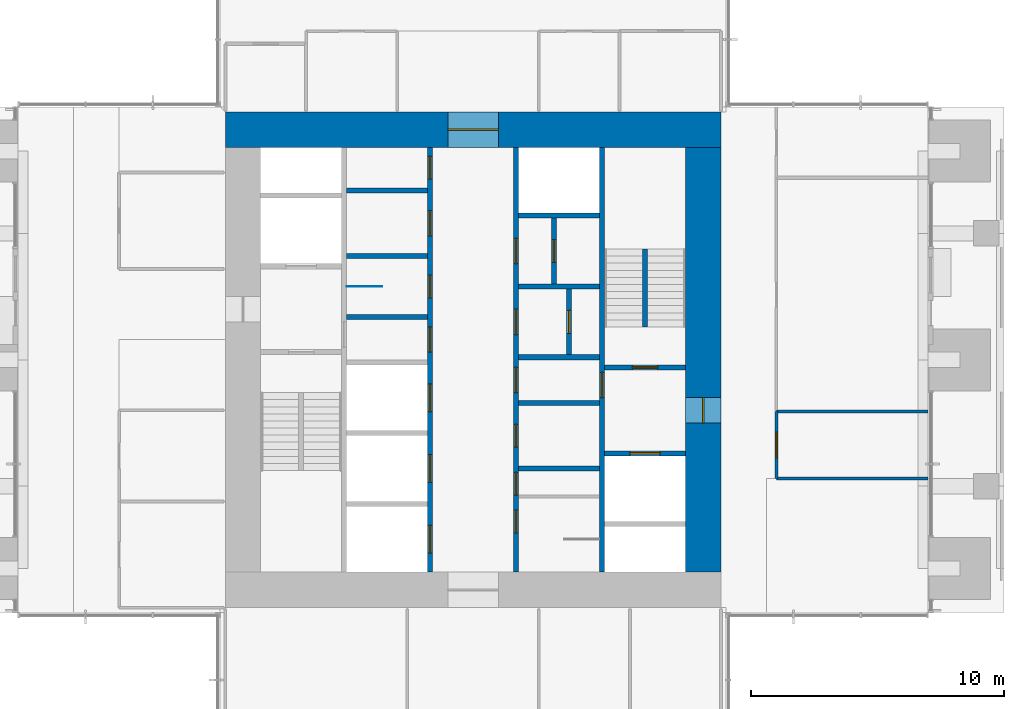
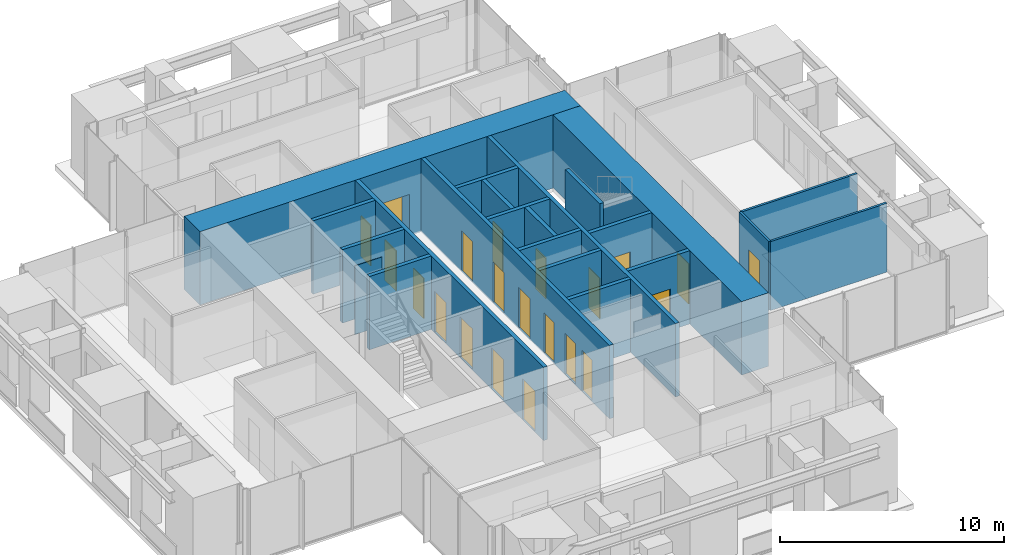
# One storey, part 13 of 17: 22 walls, 21 doors, 21 openings.
"""IFC4 building model written with IfcOpenShell, lengths in metres."""

from ifc_helpers import new_model, si_unit, direction, frame, frame_2d, origin, place, context, subcontext, project, spatial, rectangle, extrude, material, layer, layer_set, type_object, element, fill, save


model = new_model("IFC4")

# Units and contexts
model_context = context("Model", 3, precision=1e-05, world=origin(), true_north=direction((0.0, 1.0)))
body_context = subcontext(model_context, "Body", "Model", "MODEL_VIEW")
ifc_project = project(units=[si_unit("LENGTHUNIT", "METRE"), si_unit("AREAUNIT", "SQUARE_METRE"), si_unit("VOLUMEUNIT", "CUBIC_METRE"), si_unit("PLANEANGLEUNIT", "RADIAN"), si_unit("MASSUNIT", "GRAM", prefix="KILO")], contexts=[model_context])

# Site, building, storey
site_placement = place(None, origin())
site = spatial("IfcSite", under=ifc_project, at=site_placement, CompositionType="ELEMENT")
building_placement = place(site_placement, origin())
building = spatial("IfcBuilding", under=site, at=building_placement, Name="Svetlomir Tower", CompositionType="ELEMENT")
storey_placement = place(building_placement, frame((0.0, 0.0, 182.5)))
storey = spatial("IfcBuildingStorey", under=building, at=storey_placement, Name="L43", CompositionType="ELEMENT", Elevation=182.5)

# Wall, openings, doors
ifc_material_1 = material(Name="Concrete C60/75", Category="concrete")
ifc_layer_1 = layer(ifc_material_1, 0.199951171875)
ifc_layer_set_1 = layer_set([ifc_layer_1], Name="Concrete C60/75")
wall_type_1 = type_object("IfcWallType", Name="CORE INNER WALL 200", PredefinedType="SHEAR", material=ifc_layer_set_1)
wall_1_placement = place(storey_placement, frame((19.300048828125, 12.60009765625, -0.050048828125), z_axis=(0.0, 0.0, 1.0), x_axis=(0.0, 1.0, 0.0)))
wall_1 = element("IfcWall", 1, at=wall_1_placement, inside=storey, type_object=wall_type_1, Name="Core inner wall 19.3 L43", PredefinedType="SHEAR", context=body_context, shape_type="SweptSolid", body=[
    extrude(rectangle(XDim=16.7998046875, YDim=0.199951171875, at=frame_2d((8.39990234375, 0.0))), origin(), (0.0, 0.0, 1.0), 4.0),
])
opening_1_placement = place(wall_1_placement, frame((8.699951171875, 0.0, 0.050048828125)))
opening_1 = element("IfcOpeningElement", 2, at=opening_1_placement, cuts=wall_1, Name="Opening DC", PredefinedType="OPENING", context=body_context, shape_type="SweptSolid", body=[
    extrude(rectangle(XDim=1.0, YDim=2.199951171875, at=frame_2d((0.5, 1.10009765625))), frame((0.0, 0.10986328125, 0.0), z_axis=(0.0, -1.0, 0.0), x_axis=(1.0, 0.0, 0.0)), (0.0, 0.0, 1.0), 0.219970703125),
])
opening_2_placement = place(wall_1_placement, frame((10.85009765625, 0.0, 0.050048828125)))
opening_2 = element("IfcOpeningElement", 3, at=opening_2_placement, cuts=wall_1, Name="Opening DW", PredefinedType="OPENING", context=body_context, shape_type="SweptSolid", body=[
    extrude(rectangle(XDim=0.89990234375, YDim=2.199951171875, at=frame_2d((0.449951171875, 1.10009765625))), frame((0.0, 0.10986328125, 0.0), z_axis=(0.0, -1.0, 0.0), x_axis=(1.0, 0.0, 0.0)), (0.0, 0.0, 1.0), 0.219970703125),
])
opening_3_placement = place(wall_1_placement, frame((13.300048828125, 0.0, 0.050048828125)))
opening_3 = element("IfcOpeningElement", 4, at=opening_3_placement, cuts=wall_1, Name="Opening DC", PredefinedType="OPENING", context=body_context, shape_type="SweptSolid", body=[
    extrude(rectangle(XDim=1.0, YDim=2.199951171875, at=frame_2d((0.5, 1.10009765625))), frame((0.0, 0.10986328125, 0.0), z_axis=(0.0, -1.0, 0.0), x_axis=(1.0, 0.0, 0.0)), (0.0, 0.0, 1.0), 0.219970703125),
])
opening_4_placement = place(wall_1_placement, frame((15.550048828125, 0.0, 0.050048828125)))
opening_4 = element("IfcOpeningElement", 5, at=opening_4_placement, cuts=wall_1, Name="Opening DW", PredefinedType="OPENING", context=body_context, shape_type="SweptSolid", body=[
    extrude(rectangle(XDim=0.89990234375, YDim=2.199951171875, at=frame_2d((0.449951171875, 1.10009765625))), frame((0.0, 0.10986328125, 0.0), z_axis=(0.0, -1.0, 0.0), x_axis=(1.0, 0.0, 0.0)), (0.0, 0.0, 1.0), 0.219970703125),
])
opening_5_placement = place(wall_1_placement, frame((0.75, 0.0, 0.050048828125)))
opening_5 = element("IfcOpeningElement", 6, at=opening_5_placement, cuts=wall_1, Name="Opening LD", PredefinedType="OPENING", context=body_context, shape_type="SweptSolid", body=[
    extrude(rectangle(XDim=1.10009765625, YDim=2.199951171875, at=frame_2d((0.550048828125, 1.10009765625))), frame((0.0, 0.10986328125, 0.0), z_axis=(0.0, -1.0, 0.0), x_axis=(1.0, 0.0, 0.0)), (0.0, 0.0, 1.0), 0.219970703125),
])
opening_6_placement = place(wall_1_placement, frame((3.550048828125, 0.0, 0.050048828125)))
opening_6 = element("IfcOpeningElement", 7, at=opening_6_placement, cuts=wall_1, Name="Opening LD", PredefinedType="OPENING", context=body_context, shape_type="SweptSolid", body=[
    extrude(rectangle(XDim=1.10009765625, YDim=2.199951171875, at=frame_2d((0.550048828125, 1.10009765625))), frame((0.0, 0.10986328125, 0.0), z_axis=(0.0, -1.0, 0.0), x_axis=(1.0, 0.0, 0.0)), (0.0, 0.0, 1.0), 0.219970703125),
])
opening_7_placement = place(wall_1_placement, frame((6.35009765625, 0.0, 0.050048828125)))
opening_7 = element("IfcOpeningElement", 8, at=opening_7_placement, cuts=wall_1, Name="Opening LD", PredefinedType="OPENING", context=body_context, shape_type="SweptSolid", body=[
    extrude(rectangle(XDim=1.10009765625, YDim=2.199951171875, at=frame_2d((0.550048828125, 1.10009765625))), frame((0.0, 0.10986328125, 0.0), z_axis=(0.0, -1.0, 0.0), x_axis=(1.0, 0.0, 0.0)), (0.0, 0.0, 1.0), 0.219970703125),
])
ifc_material_2 = material(Name="Timber fire door", Category="wood")
door_type_1 = type_object("IfcDoorType", Name="DOOR DC 1000x2200", OperationType="SINGLE_SWING_LEFT", PredefinedType="DOOR", material=ifc_material_2)
door_1_placement = place(opening_1_placement, origin())
door_1 = element("IfcDoor", 9, at=door_1_placement, inside=storey, type_object=door_type_1, Name="Core corridor west lobby door L43", OperationType="SINGLE_SWING_RIGHT", OverallHeight=2.199951171875, OverallWidth=1.0, PredefinedType="DOOR", context=body_context, shape_type="SweptSolid", body=[
    extrude(rectangle(XDim=1.0, YDim=2.199951171875, at=frame_2d((0.5, 1.10009765625))), frame((0.0, 0.02490234375, 0.0), z_axis=(0.0, -1.0, 0.0), x_axis=(1.0, 0.0, 0.0)), (0.0, 0.0, 1.0), 0.050048828125),
])
fill(opening_1, door_1)
door_2_placement = place(opening_3_placement, origin())
door_2 = element("IfcDoor", 10, at=door_2_placement, inside=storey, type_object=door_type_1, Name="Accessible WC door L43", OperationType="SINGLE_SWING_LEFT", OverallHeight=2.199951171875, OverallWidth=1.0, PredefinedType="DOOR", context=body_context, shape_type="SweptSolid", body=[
    extrude(rectangle(XDim=1.0, YDim=2.199951171875, at=frame_2d((0.5, 1.10009765625))), frame((0.0, 0.02490234375, 0.0), z_axis=(0.0, -1.0, 0.0), x_axis=(1.0, 0.0, 0.0)), (0.0, 0.0, 1.0), 0.050048828125),
])
fill(opening_3, door_2)
ifc_material_3 = material(Name="Timber fire door", Category="wood")
door_type_2 = type_object("IfcDoorType", Name="DOOR DW 900x2200", OperationType="SINGLE_SWING_LEFT", PredefinedType="DOOR", material=ifc_material_3)
door_3_placement = place(opening_2_placement, origin())
door_3 = element("IfcDoor", 11, at=door_3_placement, inside=storey, type_object=door_type_2, Name="Female WC door L43", OperationType="SINGLE_SWING_RIGHT", OverallHeight=2.199951171875, OverallWidth=0.89990234375, PredefinedType="DOOR", context=body_context, shape_type="SweptSolid", body=[
    extrude(rectangle(XDim=0.89990234375, YDim=2.199951171875, at=frame_2d((0.449951171875, 1.10009765625))), frame((0.0, 0.02490234375, 0.0), z_axis=(0.0, -1.0, 0.0), x_axis=(1.0, 0.0, 0.0)), (0.0, 0.0, 1.0), 0.050048828125),
])
fill(opening_2, door_3)
door_4_placement = place(opening_4_placement, origin())
door_4 = element("IfcDoor", 12, at=door_4_placement, inside=storey, type_object=door_type_2, Name="IT floor distributor room door L43", OperationType="SINGLE_SWING_RIGHT", OverallHeight=2.199951171875, OverallWidth=0.89990234375, PredefinedType="DOOR", context=body_context, shape_type="SweptSolid", body=[
    extrude(rectangle(XDim=0.89990234375, YDim=2.199951171875, at=frame_2d((0.449951171875, 1.10009765625))), frame((0.0, 0.02490234375, 0.0), z_axis=(0.0, -1.0, 0.0), x_axis=(1.0, 0.0, 0.0)), (0.0, 0.0, 1.0), 0.050048828125),
])
fill(opening_4, door_4)
ifc_material_4 = material(Name="Stainless steel landing door", Category="steel")
door_type_3 = type_object("IfcDoorType", Name="LIFT LANDING DOOR LD 1100x2200", OperationType="DOUBLE_DOOR_SLIDING", PredefinedType="DOOR", material=ifc_material_4)
door_5_placement = place(opening_5_placement, origin())
door_5 = element("IfcDoor", 13, at=door_5_placement, inside=storey, type_object=door_type_3, Name="Landing door lift LC1 L43", OperationType="DOUBLE_DOOR_SLIDING", OverallHeight=2.199951171875, OverallWidth=1.10009765625, PredefinedType="DOOR", context=body_context, shape_type="SweptSolid", body=[
    extrude(rectangle(XDim=1.10009765625, YDim=2.199951171875, at=frame_2d((0.550048828125, 1.10009765625))), frame((0.0, 0.02490234375, 0.0), z_axis=(0.0, -1.0, 0.0), x_axis=(1.0, 0.0, 0.0)), (0.0, 0.0, 1.0), 0.050048828125),
])
fill(opening_5, door_5)
door_6_placement = place(opening_6_placement, origin())
door_6 = element("IfcDoor", 14, at=door_6_placement, inside=storey, type_object=door_type_3, Name="Landing door lift LC2 L43", OperationType="DOUBLE_DOOR_SLIDING", OverallHeight=2.199951171875, OverallWidth=1.10009765625, PredefinedType="DOOR", context=body_context, shape_type="SweptSolid", body=[
    extrude(rectangle(XDim=1.10009765625, YDim=2.199951171875, at=frame_2d((0.550048828125, 1.10009765625))), frame((0.0, 0.02490234375, 0.0), z_axis=(0.0, -1.0, 0.0), x_axis=(1.0, 0.0, 0.0)), (0.0, 0.0, 1.0), 0.050048828125),
])
fill(opening_6, door_6)
door_7_placement = place(opening_7_placement, origin())
door_7 = element("IfcDoor", 15, at=door_7_placement, inside=storey, type_object=door_type_3, Name="Landing door lift LC3 L43", OperationType="DOUBLE_DOOR_SLIDING", OverallHeight=2.199951171875, OverallWidth=1.10009765625, PredefinedType="DOOR", context=body_context, shape_type="SweptSolid", body=[
    extrude(rectangle(XDim=1.10009765625, YDim=2.199951171875, at=frame_2d((0.550048828125, 1.10009765625))), frame((0.0, 0.02490234375, 0.0), z_axis=(0.0, -1.0, 0.0), x_axis=(1.0, 0.0, 0.0)), (0.0, 0.0, 1.0), 0.050048828125),
])
fill(opening_7, door_7)

wall_2_placement = place(storey_placement, frame((22.699951171875, 12.60009765625, -0.050048828125), z_axis=(0.0, 0.0, 1.0), x_axis=(0.0, 1.0, 0.0)))
wall_2 = element("IfcWall", 16, at=wall_2_placement, inside=storey, type_object=wall_type_1, Name="Core inner wall 22.7 L43", PredefinedType="SHEAR", context=body_context, shape_type="SweptSolid", body=[
    extrude(rectangle(XDim=16.7998046875, YDim=0.199951171875, at=frame_2d((8.39990234375, 0.0))), origin(), (0.0, 0.0, 1.0), 4.0),
])
opening_8_placement = place(wall_2_placement, frame((3.050048828125, 0.0, 0.050048828125)))
opening_8 = element("IfcOpeningElement", 17, at=opening_8_placement, cuts=wall_2, Name="Opening DW", PredefinedType="OPENING", context=body_context, shape_type="SweptSolid", body=[
    extrude(rectangle(XDim=0.89990234375, YDim=2.199951171875, at=frame_2d((0.449951171875, 1.10009765625))), frame((0.0, 0.10986328125, 0.0), z_axis=(0.0, -1.0, 0.0), x_axis=(1.0, 0.0, 0.0)), (0.0, 0.0, 1.0), 0.219970703125),
])
opening_9_placement = place(wall_2_placement, frame((7.10009765625, 0.0, 0.050048828125)))
opening_9 = element("IfcOpeningElement", 18, at=opening_9_placement, cuts=wall_2, Name="Opening DC", PredefinedType="OPENING", context=body_context, shape_type="SweptSolid", body=[
    extrude(rectangle(XDim=1.0, YDim=2.199951171875, at=frame_2d((0.5, 1.10009765625))), frame((0.0, 0.10986328125, 0.0), z_axis=(0.0, -1.0, 0.0), x_axis=(1.0, 0.0, 0.0)), (0.0, 0.0, 1.0), 0.219970703125),
])
opening_10_placement = place(wall_2_placement, frame((1.550048828125, 0.0, 0.050048828125)))
opening_10 = element("IfcOpeningElement", 19, at=opening_10_placement, cuts=wall_2, Name="Opening DW", PredefinedType="OPENING", context=body_context, shape_type="SweptSolid", body=[
    extrude(rectangle(XDim=0.89990234375, YDim=2.199951171875, at=frame_2d((0.449951171875, 1.10009765625))), frame((0.0, 0.10986328125, 0.0), z_axis=(0.0, -1.0, 0.0), x_axis=(1.0, 0.0, 0.0)), (0.0, 0.0, 1.0), 0.219970703125),
])
opening_11_placement = place(wall_2_placement, frame((4.949951171875, 0.0, 0.050048828125)))
opening_11 = element("IfcOpeningElement", 20, at=opening_11_placement, cuts=wall_2, Name="Opening DW", PredefinedType="OPENING", context=body_context, shape_type="SweptSolid", body=[
    extrude(rectangle(XDim=0.89990234375, YDim=2.199951171875, at=frame_2d((0.449951171875, 1.10009765625))), frame((0.0, 0.10986328125, 0.0), z_axis=(0.0, -1.0, 0.0), x_axis=(1.0, 0.0, 0.0)), (0.0, 0.0, 1.0), 0.219970703125),
])
opening_12_placement = place(wall_2_placement, frame((9.39990234375, 0.0, 0.050048828125)))
opening_12 = element("IfcOpeningElement", 21, at=opening_12_placement, cuts=wall_2, Name="Opening DC", PredefinedType="OPENING", context=body_context, shape_type="SweptSolid", body=[
    extrude(rectangle(XDim=1.0, YDim=2.199951171875, at=frame_2d((0.5, 1.10009765625))), frame((0.0, 0.10986328125, 0.0), z_axis=(0.0, -1.0, 0.0), x_axis=(1.0, 0.0, 0.0)), (0.0, 0.0, 1.0), 0.219970703125),
])
opening_13_placement = place(wall_2_placement, frame((12.199951171875, 0.0, 0.050048828125)))
opening_13 = element("IfcOpeningElement", 22, at=opening_13_placement, cuts=wall_2, Name="Opening DC", PredefinedType="OPENING", context=body_context, shape_type="SweptSolid", body=[
    extrude(rectangle(XDim=1.0, YDim=2.199951171875, at=frame_2d((0.5, 1.10009765625))), frame((0.0, 0.10986328125, 0.0), z_axis=(0.0, -1.0, 0.0), x_axis=(1.0, 0.0, 0.0)), (0.0, 0.0, 1.0), 0.219970703125),
])
door_8_placement = place(opening_9_placement, origin())
door_8 = element("IfcDoor", 23, at=door_8_placement, inside=storey, type_object=door_type_1, Name="Core corridor east lobby door L43", OperationType="SINGLE_SWING_LEFT", OverallHeight=2.199951171875, OverallWidth=1.0, PredefinedType="DOOR", context=body_context, shape_type="SweptSolid", body=[
    extrude(rectangle(XDim=1.0, YDim=2.199951171875, at=frame_2d((0.5, 1.10009765625))), frame((0.0, 0.02490234375, 0.0), z_axis=(0.0, -1.0, 0.0), x_axis=(1.0, 0.0, 0.0)), (0.0, 0.0, 1.0), 0.050048828125),
])
fill(opening_9, door_8)
door_9_placement = place(opening_12_placement, origin())
door_9 = element("IfcDoor", 24, at=door_9_placement, inside=storey, type_object=door_type_1, Name="Converted shaft BANK-E1 room door L43", OperationType="SINGLE_SWING_LEFT", OverallHeight=2.199951171875, OverallWidth=1.0, PredefinedType="DOOR", context=body_context, shape_type="SweptSolid", body=[
    extrude(rectangle(XDim=1.0, YDim=2.199951171875, at=frame_2d((0.5, 1.10009765625))), frame((0.0, 0.02490234375, 0.0), z_axis=(0.0, -1.0, 0.0), x_axis=(1.0, 0.0, 0.0)), (0.0, 0.0, 1.0), 0.050048828125),
])
fill(opening_12, door_9)
door_10_placement = place(opening_13_placement, origin())
door_10 = element("IfcDoor", 25, at=door_10_placement, inside=storey, type_object=door_type_1, Name="Converted shaft BANK-E2 room door L43", OperationType="SINGLE_SWING_LEFT", OverallHeight=2.199951171875, OverallWidth=1.0, PredefinedType="DOOR", context=body_context, shape_type="SweptSolid", body=[
    extrude(rectangle(XDim=1.0, YDim=2.199951171875, at=frame_2d((0.5, 1.10009765625))), frame((0.0, 0.02490234375, 0.0), z_axis=(0.0, -1.0, 0.0), x_axis=(1.0, 0.0, 0.0)), (0.0, 0.0, 1.0), 0.050048828125),
])
fill(opening_13, door_10)
door_11_placement = place(opening_8_placement, origin())
door_11 = element("IfcDoor", 26, at=door_11_placement, inside=storey, type_object=door_type_2, Name="Shower and changing room door L43", OperationType="SINGLE_SWING_LEFT", OverallHeight=2.199951171875, OverallWidth=0.89990234375, PredefinedType="DOOR", context=body_context, shape_type="SweptSolid", body=[
    extrude(rectangle(XDim=0.89990234375, YDim=2.199951171875, at=frame_2d((0.449951171875, 1.10009765625))), frame((0.0, 0.02490234375, 0.0), z_axis=(0.0, -1.0, 0.0), x_axis=(1.0, 0.0, 0.0)), (0.0, 0.0, 1.0), 0.050048828125),
])
fill(opening_8, door_11)
door_12_placement = place(opening_10_placement, origin())
door_12 = element("IfcDoor", 27, at=door_12_placement, inside=storey, type_object=door_type_2, Name="Male WC door L43", OperationType="SINGLE_SWING_RIGHT", OverallHeight=2.199951171875, OverallWidth=0.89990234375, PredefinedType="DOOR", context=body_context, shape_type="SweptSolid", body=[
    extrude(rectangle(XDim=0.89990234375, YDim=2.199951171875, at=frame_2d((0.449951171875, 1.10009765625))), frame((0.0, 0.02490234375, 0.0), z_axis=(0.0, -1.0, 0.0), x_axis=(1.0, 0.0, 0.0)), (0.0, 0.0, 1.0), 0.050048828125),
])
fill(opening_10, door_12)
door_13_placement = place(opening_11_placement, origin())
door_13 = element("IfcDoor", 28, at=door_13_placement, inside=storey, type_object=door_type_2, Name="Comms room door L43", OperationType="SINGLE_SWING_RIGHT", OverallHeight=2.199951171875, OverallWidth=0.89990234375, PredefinedType="DOOR", context=body_context, shape_type="SweptSolid", body=[
    extrude(rectangle(XDim=0.89990234375, YDim=2.199951171875, at=frame_2d((0.449951171875, 1.10009765625))), frame((0.0, 0.02490234375, 0.0), z_axis=(0.0, -1.0, 0.0), x_axis=(1.0, 0.0, 0.0)), (0.0, 0.0, 1.0), 0.050048828125),
])
fill(opening_11, door_13)

# Wall, opening, door
wall_3_placement = place(storey_placement, frame((26.10009765625, 12.60009765625, -0.050048828125), z_axis=(0.0, 0.0, 1.0), x_axis=(0.0, 1.0, 0.0)))
wall_3 = element("IfcWall", 29, at=wall_3_placement, inside=storey, type_object=wall_type_1, Name="Core inner wall 26.1 L43", PredefinedType="SHEAR", context=body_context, shape_type="SweptSolid", body=[
    extrude(rectangle(XDim=16.7998046875, YDim=0.199951171875, at=frame_2d((8.39990234375, 0.0))), origin(), (0.0, 0.0, 1.0), 4.0),
])
opening_14_placement = place(wall_3_placement, frame((6.89990234375, 0.0, 0.050048828125)))
opening_14 = element("IfcOpeningElement", 30, at=opening_14_placement, cuts=wall_3, Name="Opening DF", PredefinedType="OPENING", context=body_context, shape_type="SweptSolid", body=[
    extrude(rectangle(XDim=1.0, YDim=2.199951171875, at=frame_2d((0.5, 1.10009765625))), frame((0.0, 0.10986328125, 0.0), z_axis=(0.0, -1.0, 0.0), x_axis=(1.0, 0.0, 0.0)), (0.0, 0.0, 1.0), 0.219970703125),
])
ifc_material_5 = material(Name="Steel fire door", Category="steel")
door_type_4 = type_object("IfcDoorType", Name="DOOR DF 1000x2200", OperationType="SINGLE_SWING_LEFT", PredefinedType="DOOR", material=ifc_material_5)
door_14_placement = place(opening_14_placement, origin())
door_14 = element("IfcDoor", 31, at=door_14_placement, inside=storey, type_object=door_type_4, Name="Core corridor east door L43", OperationType="SINGLE_SWING_LEFT", OverallHeight=2.199951171875, OverallWidth=1.0, PredefinedType="DOOR", context=body_context, shape_type="SweptSolid", body=[
    extrude(rectangle(XDim=1.0, YDim=2.199951171875, at=frame_2d((0.5, 1.10009765625))), frame((0.0, 0.02490234375, 0.0), z_axis=(0.0, -1.0, 0.0), x_axis=(1.0, 0.0, 0.0)), (0.0, 0.0, 1.0), 0.050048828125),
])
fill(opening_14, door_14)

# Walls
for number, where, z_axis, x_axis, name in (
    (32, (16.0, 22.699951171875, -0.050048828125), (0.0, 0.0, 1.0), (1.0, 0.0, 0.0), "Core inner wall 16-19.2/22.7 L43"),
    (33, (16.0, 25.10009765625, -0.050048828125), (0.0, 0.0, 1.0), (1.0, 0.0, 0.0), "Core inner wall 16-19.2/25.1 L43"),
    (34, (16.0, 27.699951171875, -0.050048828125), (0.0, 0.0, 1.0), (1.0, 0.0, 0.0), "Core inner wall 16-19.2/27.7 L43"),
    (35, (22.800048828125, 16.699951171875, -0.050048828125), (0.0, 0.0, 1.0), (1.0, 0.0, 0.0), "Core inner wall 22.8-26/16.7 L43"),
    (36, (22.800048828125, 19.300048828125, -0.050048828125), (0.0, 0.0, 1.0), (1.0, 0.0, 0.0), "Core inner wall 22.8-26/19.3 L43"),
    (37, (22.800048828125, 21.10009765625, -0.050048828125), (0.0, 0.0, 1.0), (1.0, 0.0, 0.0), "Core inner wall 22.8-26/21.1 L43"),
    (38, (22.800048828125, 23.89990234375, -0.050048828125), (0.0, 0.0, 1.0), (1.0, 0.0, 0.0), "Core inner wall 22.8-26/23.9 L43"),
    (39, (22.800048828125, 26.699951171875, -0.050048828125), (0.0, 0.0, 1.0), (1.0, 0.0, 0.0), "Core inner wall 22.8-26/26.7 L43"),
):
    element("IfcWall", number, at=place(storey_placement, frame(where, z_axis=z_axis, x_axis=x_axis)), inside=storey, type_object=wall_type_1, Name=name, PredefinedType="SHEAR", context=body_context, shape_type="SweptSolid", body=[
        extrude(rectangle(XDim=3.199951171875, YDim=0.199951171875, at=frame_2d((1.60009765625, 0.0))), origin(), (0.0, 0.0, 1.0), 4.0),
    ])

# Wall, opening, door
wall_4_placement = place(storey_placement, frame((26.199951171875, 17.300048828125, -0.050048828125), z_axis=(0.0, 0.0, 1.0), x_axis=(1.0, 0.0, 0.0)))
wall_4 = element("IfcWall", 40, at=wall_4_placement, inside=storey, type_object=wall_type_1, Name="Core inner wall 26.2-29.4/17.3 L43", PredefinedType="SHEAR", context=body_context, shape_type="SweptSolid", body=[
    extrude(rectangle(XDim=3.199951171875, YDim=0.199951171875, at=frame_2d((1.60009765625, 0.0))), origin(), (0.0, 0.0, 1.0), 4.0),
])
opening_15_placement = place(wall_4_placement, frame((1.0, 0.0, 0.050048828125)))
opening_15 = element("IfcOpeningElement", 41, at=opening_15_placement, cuts=wall_4, Name="Opening LD3", PredefinedType="OPENING", context=body_context, shape_type="SweptSolid", body=[
    extrude(rectangle(XDim=1.199951171875, YDim=2.199951171875, at=frame_2d((0.60009765625, 1.10009765625))), frame((0.0, 0.10986328125, 0.0), z_axis=(0.0, -1.0, 0.0), x_axis=(1.0, 0.0, 0.0)), (0.0, 0.0, 1.0), 0.219970703125),
])
ifc_material_6 = material(Name="Stainless steel fire-rated landing door", Category="steel")
door_type_5 = type_object("IfcDoorType", Name="FIREFIGHTING LIFT LANDING DOOR LD3 1200x2200", OperationType="DOUBLE_DOOR_SLIDING", PredefinedType="DOOR", material=ifc_material_6)
door_15_placement = place(opening_15_placement, origin())
door_15 = element("IfcDoor", 42, at=door_15_placement, inside=storey, type_object=door_type_5, Name="Landing door lift FL2 L43", OperationType="DOUBLE_DOOR_SLIDING", OverallHeight=2.199951171875, OverallWidth=1.199951171875, PredefinedType="DOOR", context=body_context, shape_type="SweptSolid", body=[
    extrude(rectangle(XDim=1.199951171875, YDim=2.199951171875, at=frame_2d((0.60009765625, 1.10009765625))), frame((0.0, 0.02490234375, 0.0), z_axis=(0.0, -1.0, 0.0), x_axis=(1.0, 0.0, 0.0)), (0.0, 0.0, 1.0), 0.050048828125),
])
fill(opening_15, door_15)

wall_5_placement = place(storey_placement, frame((26.199951171875, 20.699951171875, -0.050048828125), z_axis=(0.0, 0.0, 1.0), x_axis=(1.0, 0.0, 0.0)))
wall_5 = element("IfcWall", 43, at=wall_5_placement, inside=storey, type_object=wall_type_1, Name="Core inner wall 26.2-29.4/20.7 L43", PredefinedType="SHEAR", context=body_context, shape_type="SweptSolid", body=[
    extrude(rectangle(XDim=3.199951171875, YDim=0.199951171875, at=frame_2d((1.60009765625, 0.0))), origin(), (0.0, 0.0, 1.0), 4.0),
])
opening_16_placement = place(wall_5_placement, frame((1.10009765625, 0.0, 0.050048828125)))
opening_16 = element("IfcOpeningElement", 44, at=opening_16_placement, cuts=wall_5, Name="Opening DF", PredefinedType="OPENING", context=body_context, shape_type="SweptSolid", body=[
    extrude(rectangle(XDim=1.0, YDim=2.199951171875, at=frame_2d((0.5, 1.10009765625))), frame((0.0, 0.10986328125, 0.0), z_axis=(0.0, -1.0, 0.0), x_axis=(1.0, 0.0, 0.0)), (0.0, 0.0, 1.0), 0.219970703125),
])
door_16_placement = place(opening_16_placement, origin())
door_16 = element("IfcDoor", 45, at=door_16_placement, inside=storey, type_object=door_type_4, Name="Stair S2 door L43", OperationType="SINGLE_SWING_LEFT", OverallHeight=2.199951171875, OverallWidth=1.0, PredefinedType="DOOR", context=body_context, shape_type="SweptSolid", body=[
    extrude(rectangle(XDim=1.0, YDim=2.199951171875, at=frame_2d((0.5, 1.10009765625))), frame((0.0, 0.02490234375, 0.0), z_axis=(0.0, -1.0, 0.0), x_axis=(1.0, 0.0, 0.0)), (0.0, 0.0, 1.0), 0.050048828125),
])
fill(opening_16, door_16)

wall_6_placement = place(storey_placement, frame((24.800048828125, 21.199951171875, -0.050048828125), z_axis=(0.0, 0.0, 1.0), x_axis=(0.0, 1.0, 0.0)))
wall_6 = element("IfcWall", 46, at=wall_6_placement, inside=storey, type_object=wall_type_1, Name="Core inner wall 24.8/21.2-23.8 L43", PredefinedType="SHEAR", context=body_context, shape_type="SweptSolid", body=[
    extrude(rectangle(XDim=2.60009765625, YDim=0.199951171875, at=frame_2d((1.300048828125, 0.0))), origin(), (0.0, 0.0, 1.0), 4.0),
])
opening_17_placement = place(wall_6_placement, frame((0.85009765625, 0.0, 0.050048828125)))
opening_17 = element("IfcOpeningElement", 47, at=opening_17_placement, cuts=wall_6, Name="Opening DW", PredefinedType="OPENING", context=body_context, shape_type="SweptSolid", body=[
    extrude(rectangle(XDim=0.89990234375, YDim=2.199951171875, at=frame_2d((0.449951171875, 1.10009765625))), frame((0.0, 0.10986328125, 0.0), z_axis=(0.0, -1.0, 0.0), x_axis=(1.0, 0.0, 0.0)), (0.0, 0.0, 1.0), 0.219970703125),
])
door_17_placement = place(opening_17_placement, origin())
door_17 = element("IfcDoor", 48, at=door_17_placement, inside=storey, type_object=door_type_2, Name="Converted shaft BANK-E1 back room door L43", OperationType="SINGLE_SWING_RIGHT", OverallHeight=2.199951171875, OverallWidth=0.89990234375, PredefinedType="DOOR", context=body_context, shape_type="SweptSolid", body=[
    extrude(rectangle(XDim=0.89990234375, YDim=2.199951171875, at=frame_2d((0.449951171875, 1.10009765625))), frame((0.0, 0.02490234375, 0.0), z_axis=(0.0, -1.0, 0.0), x_axis=(1.0, 0.0, 0.0)), (0.0, 0.0, 1.0), 0.050048828125),
])
fill(opening_17, door_17)

wall_7_placement = place(storey_placement, frame((24.199951171875, 24.0, -0.050048828125), z_axis=(0.0, 0.0, 1.0), x_axis=(0.0, 1.0, 0.0)))
wall_7 = element("IfcWall", 49, at=wall_7_placement, inside=storey, type_object=wall_type_1, Name="Core inner wall 24.2/24-26.6 L43", PredefinedType="SHEAR", context=body_context, shape_type="SweptSolid", body=[
    extrude(rectangle(XDim=2.60009765625, YDim=0.199951171875, at=frame_2d((1.300048828125, 0.0))), origin(), (0.0, 0.0, 1.0), 4.0),
])
opening_18_placement = place(wall_7_placement, frame((0.85009765625, 0.0, 0.050048828125)))
opening_18 = element("IfcOpeningElement", 50, at=opening_18_placement, cuts=wall_7, Name="Opening DW", PredefinedType="OPENING", context=body_context, shape_type="SweptSolid", body=[
    extrude(rectangle(XDim=0.89990234375, YDim=2.199951171875, at=frame_2d((0.449951171875, 1.10009765625))), frame((0.0, 0.10986328125, 0.0), z_axis=(0.0, -1.0, 0.0), x_axis=(1.0, 0.0, 0.0)), (0.0, 0.0, 1.0), 0.219970703125),
])
door_18_placement = place(opening_18_placement, origin())
door_18 = element("IfcDoor", 51, at=door_18_placement, inside=storey, type_object=door_type_2, Name="Converted shaft BANK-E2 back room door L43", OperationType="SINGLE_SWING_RIGHT", OverallHeight=2.199951171875, OverallWidth=0.89990234375, PredefinedType="DOOR", context=body_context, shape_type="SweptSolid", body=[
    extrude(rectangle(XDim=0.89990234375, YDim=2.199951171875, at=frame_2d((0.449951171875, 1.10009765625))), frame((0.0, 0.02490234375, 0.0), z_axis=(0.0, -1.0, 0.0), x_axis=(1.0, 0.0, 0.0)), (0.0, 0.0, 1.0), 0.050048828125),
])
fill(opening_18, door_18)

ifc_material_7 = material(Name="Concrete C60/75", Category="concrete")
ifc_layer_2 = layer(ifc_material_7, 1.39990234375)
ifc_layer_set_2 = layer_set([ifc_layer_2], Name="Concrete C60/75")
wall_type_2 = type_object("IfcWallType", Name="CORE WALL 1400", PredefinedType="SHEAR", material=ifc_layer_set_2)
wall_8_placement = place(storey_placement, frame((11.199951171875, 30.10009765625, -0.050048828125), z_axis=(0.0, 0.0, 1.0), x_axis=(1.0, 0.0, 0.0)))
wall_8 = element("IfcWall", 52, at=wall_8_placement, inside=storey, type_object=wall_type_2, Name="Core wall north L43", PredefinedType="SHEAR", context=body_context, shape_type="SweptSolid", body=[
    extrude(rectangle(XDim=19.60009765625, YDim=1.39990234375, at=frame_2d((9.800048828125, 0.0))), origin(), (0.0, 0.0, 1.0), 4.0),
])
opening_19_placement = place(wall_8_placement, frame((8.800048828125, 0.0, 0.050048828125)))
opening_19 = element("IfcOpeningElement", 53, at=opening_19_placement, cuts=wall_8, Name="Opening DL", PredefinedType="OPENING", context=body_context, shape_type="SweptSolid", body=[
    extrude(rectangle(XDim=2.0, YDim=2.199951171875, at=frame_2d((1.0, 1.10009765625))), frame((0.0, 0.7099609375, 0.0), z_axis=(0.0, -1.0, 0.0), x_axis=(1.0, 0.0, 0.0)), (0.0, 0.0, 1.0), 1.419921875),
])
ifc_material_8 = material(Name="Steel fire door", Category="steel")
door_type_6 = type_object("IfcDoorType", Name="DOOR DL 2000x2200", OperationType="DOUBLE_DOOR_SINGLE_SWING", PredefinedType="DOOR", material=ifc_material_8)
door_19_placement = place(opening_19_placement, origin())
door_19 = element("IfcDoor", 54, at=door_19_placement, inside=storey, type_object=door_type_6, Name="Lift lobby north door L43", OperationType="DOUBLE_DOOR_SINGLE_SWING", OverallHeight=2.199951171875, OverallWidth=2.0, PredefinedType="DOOR", context=body_context, shape_type="SweptSolid", body=[
    extrude(rectangle(XDim=2.0, YDim=2.199951171875, at=frame_2d((1.0, 1.10009765625))), frame((0.0, 0.02490234375, 0.0), z_axis=(0.0, -1.0, 0.0), x_axis=(1.0, 0.0, 0.0)), (0.0, 0.0, 1.0), 0.050048828125),
])
fill(opening_19, door_19)

wall_9_placement = place(storey_placement, frame((30.10009765625, 12.60009765625, -0.050048828125), z_axis=(0.0, 0.0, 1.0), x_axis=(0.0, 1.0, 0.0)))
wall_9 = element("IfcWall", 55, at=wall_9_placement, inside=storey, type_object=wall_type_2, Name="Core wall east L43", PredefinedType="SHEAR", context=body_context, shape_type="SweptSolid", body=[
    extrude(rectangle(XDim=16.7998046875, YDim=1.39990234375, at=frame_2d((8.39990234375, 0.0))), origin(), (0.0, 0.0, 1.0), 4.0),
])
opening_20_placement = place(wall_9_placement, frame((5.89990234375, 0.0, 0.050048828125)))
opening_20 = element("IfcOpeningElement", 56, at=opening_20_placement, cuts=wall_9, Name="Opening DF", PredefinedType="OPENING", context=body_context, shape_type="SweptSolid", body=[
    extrude(rectangle(XDim=1.0, YDim=2.199951171875, at=frame_2d((0.5, 1.10009765625))), frame((0.0, 0.7099609375, 0.0), z_axis=(0.0, -1.0, 0.0), x_axis=(1.0, 0.0, 0.0)), (0.0, 0.0, 1.0), 1.419921875),
])
door_20_placement = place(opening_20_placement, origin())
door_20 = element("IfcDoor", 57, at=door_20_placement, inside=storey, type_object=door_type_4, Name="Firefighting lobby east door L43", OperationType="SINGLE_SWING_LEFT", OverallHeight=2.199951171875, OverallWidth=1.0, PredefinedType="DOOR", context=body_context, shape_type="SweptSolid", body=[
    extrude(rectangle(XDim=1.0, YDim=2.199951171875, at=frame_2d((0.5, 1.10009765625))), frame((0.0, 0.02490234375, 0.0), z_axis=(0.0, -1.0, 0.0), x_axis=(1.0, 0.0, 0.0)), (0.0, 0.0, 1.0), 0.050048828125),
])
fill(opening_20, door_20)

ifc_material_9 = material(Name="Gypsum board on steel studs", Category="steel")
ifc_layer_3 = layer(ifc_material_9, 0.1201171875)
ifc_layer_set_3 = layer_set([ifc_layer_3], Name="Gypsum board on steel studs")
wall_type_3 = type_object("IfcWallType", Name="PARTITION 120", PredefinedType="PARTITIONING", material=ifc_layer_set_3)
wall_10_placement = place(storey_placement, frame((33.0, 16.300048828125, 0.0), z_axis=(0.0, 0.0, 1.0), x_axis=(0.0, 1.0, 0.0)))
wall_10 = element("IfcWall", 58, at=wall_10_placement, inside=storey, type_object=wall_type_3, Name="Partition L43", PredefinedType="PARTITIONING", context=body_context, shape_type="SweptSolid", body=[
    extrude(rectangle(XDim=2.64990234375, YDim=0.1201171875, at=frame_2d((1.324951171875, 0.0))), origin(), (0.0, 0.0, 1.0), 3.75),
])
opening_21_placement = place(wall_10_placement, frame((0.824951171875, 0.0, 0.0)))
opening_21 = element("IfcOpeningElement", 59, at=opening_21_placement, cuts=wall_10, Name="Opening DR", PredefinedType="OPENING", context=body_context, shape_type="SweptSolid", body=[
    extrude(rectangle(XDim=1.0, YDim=2.199951171875, at=frame_2d((0.5, 1.10009765625))), frame((0.0, 0.070068359375, 0.0), z_axis=(0.0, -1.0, 0.0), x_axis=(1.0, 0.0, 0.0)), (0.0, 0.0, 1.0), 0.14013671875),
])
ifc_material_10 = material(Name="Timber door, glazed side light", Category="wood")
door_type_7 = type_object("IfcDoorType", Name="DOOR DR 1000x2200", OperationType="SINGLE_SWING_LEFT", PredefinedType="DOOR", material=ifc_material_10)
door_21_placement = place(opening_21_placement, origin())
door_21 = element("IfcDoor", 60, at=door_21_placement, inside=storey, type_object=door_type_7, Name="Head of sustainability office door L43", OperationType="SINGLE_SWING_RIGHT", OverallHeight=2.199951171875, OverallWidth=1.0, PredefinedType="DOOR", context=body_context, shape_type="SweptSolid", body=[
    extrude(rectangle(XDim=1.0, YDim=2.199951171875, at=frame_2d((0.5, 1.10009765625))), frame((0.0, 0.02490234375, 0.0), z_axis=(0.0, -1.0, 0.0), x_axis=(1.0, 0.0, 0.0)), (0.0, 0.0, 1.0), 0.050048828125),
])
fill(opening_21, door_21)

# Walls
for number, where, z_axis, x_axis, name in (
    (61, (33.0, 16.300048828125, 0.0), (0.0, 0.0, 1.0), (1.0, 0.0, 0.0), "Partition L43"),
    (62, (33.0, 18.949951171875, 0.0), (0.0, 0.0, 1.0), (1.0, 0.0, 0.0), "Partition L43"),
):
    element("IfcWall", number, at=place(storey_placement, frame(where, z_axis=z_axis, x_axis=x_axis)), inside=storey, type_object=wall_type_3, Name=name, PredefinedType="PARTITIONING", context=body_context, shape_type="SweptSolid", body=[
        extrude(rectangle(XDim=6.0, YDim=0.1201171875, at=frame_2d((3.0, 0.0))), origin(), (0.0, 0.0, 1.0), 3.75),
    ])
ifc_material_11 = material(Name="Concrete C60/75", Category="concrete")
ifc_layer_4 = layer(ifc_material_11, 0.199951171875)
ifc_layer_set_4 = layer_set([ifc_layer_4], Name="Concrete C60/75")
wall_type_4 = type_object("IfcWallType", Name="STAIR SPINE WALL 200", PredefinedType="PARTITIONING", material=ifc_layer_set_4)
wall_11_placement = place(storey_placement, frame((27.800048828125, 22.300048828125, 0.0), z_axis=(0.0, 0.0, 1.0), x_axis=(0.0, 1.0, 0.0)))
element("IfcWall", 63, at=wall_11_placement, inside=storey, type_object=wall_type_4, Name="Stair S2 spine wall L43", PredefinedType="PARTITIONING", context=body_context, shape_type="SweptSolid", body=[
    extrude(rectangle(XDim=3.079833984375, YDim=0.199951171875, at=frame_2d((1.5400390625, 0.0))), origin(), (0.0, 0.0, 1.0), 4.0),
])
ifc_material_12 = material(Name="Compact laminate panel", Category="plastic")
ifc_layer_5 = layer(ifc_material_12, 0.030029296875)
ifc_layer_set_5 = layer_set([ifc_layer_5], Name="Compact laminate panel")
wall_type_5 = type_object("IfcWallType", Name="WC CUBICLE PARTITION 30", PredefinedType="PARTITIONING", material=ifc_layer_set_5)
wall_12_placement = place(storey_placement, frame((16.0, 23.89990234375, 0.0), z_axis=(0.0, 0.0, 1.0), x_axis=(1.0, 0.0, 0.0)))
element("IfcWall", 64, at=wall_12_placement, inside=storey, type_object=wall_type_5, Name="WC cubicle partition L43", PredefinedType="PARTITIONING", context=body_context, shape_type="SweptSolid", body=[
    extrude(rectangle(XDim=1.39990234375, YDim=0.030029296875, at=frame_2d((0.699951171875, 0.0))), origin(), (0.0, 0.0, 1.0), 3.75),
])

save(model, "model.ifc")
